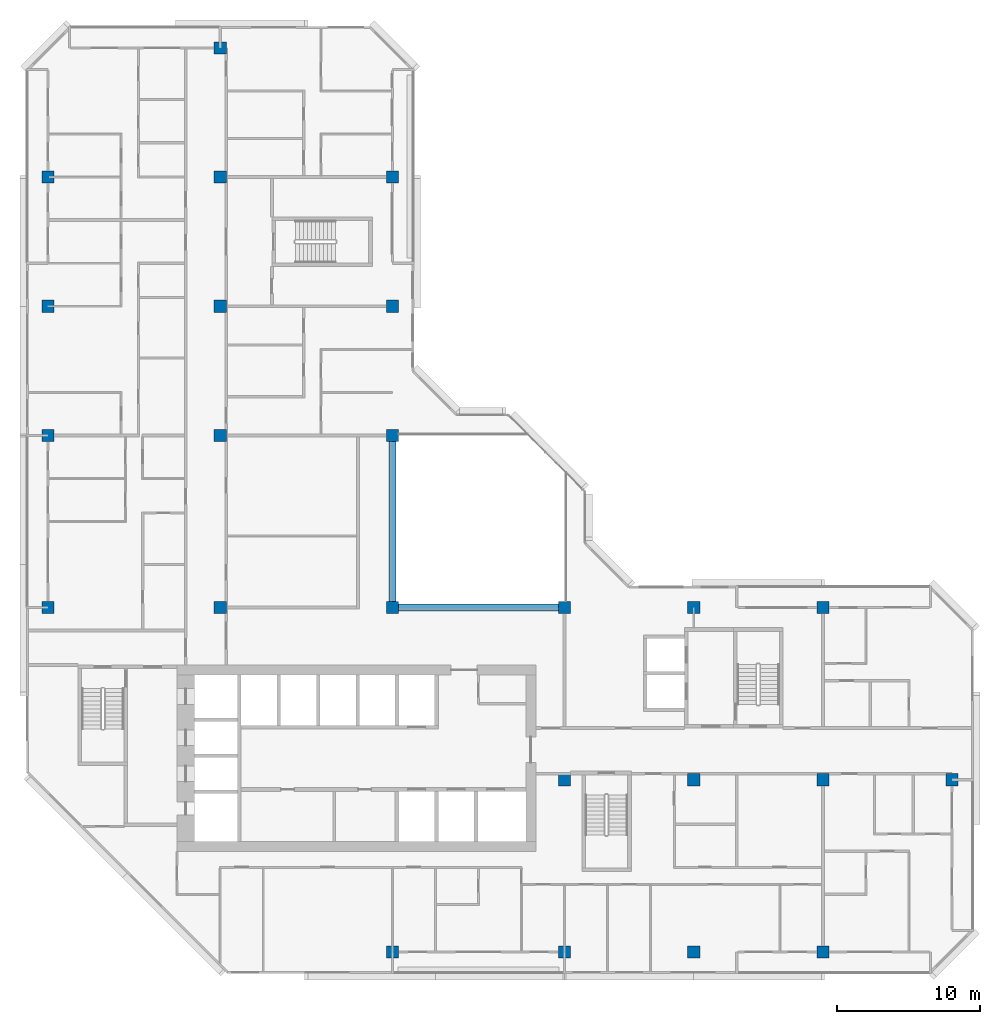
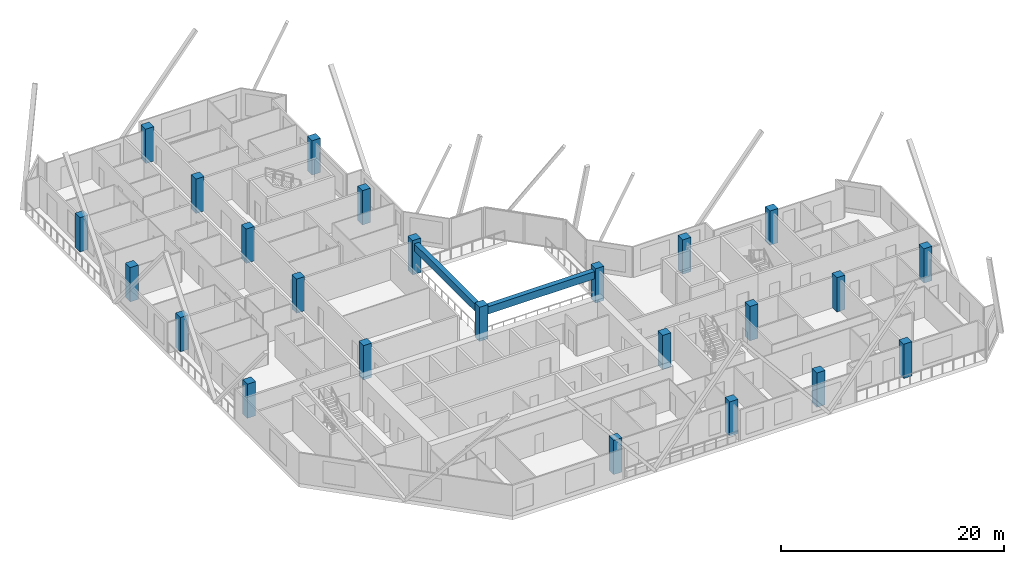
# One storey, part 1 of 14: 24 columns, 2 beams.
"""IFC4 building model written with IfcOpenShell, lengths in metres."""

from ifc_helpers import new_model, si_unit, direction, frame, origin, origin_2d, place, context, subcontext, project, spatial, rectangle, extrude, material, material_profile, profile_set, type_object, element, save


model = new_model("IFC4")

# Units and contexts
model_context = context("Model", 3, precision=1e-05, world=origin(), true_north=direction((0.0, 1.0)))
body_context = subcontext(model_context, "Body", "Model", "MODEL_VIEW")
ifc_project = project(units=[si_unit("LENGTHUNIT", "METRE"), si_unit("AREAUNIT", "SQUARE_METRE"), si_unit("VOLUMEUNIT", "CUBIC_METRE"), si_unit("PLANEANGLEUNIT", "RADIAN"), si_unit("MASSUNIT", "GRAM", prefix="KILO")], contexts=[model_context])

# Site, building, storey
site_placement = place(None, origin())
site = spatial("IfcSite", under=ifc_project, at=site_placement, CompositionType="ELEMENT")
building_placement = place(site_placement, origin())
building = spatial("IfcBuilding", under=site, at=building_placement, Name="Chenar Terraces", CompositionType="ELEMENT")
storey_placement = place(building_placement, frame((0.0, 0.0, 234.14990234375)))
storey = spatial("IfcBuildingStorey", under=building, at=storey_placement, Name="L55", CompositionType="ELEMENT", Elevation=234.14990234375)

# Columns
ifc_material_1 = material(Name="Concrete C60/75", Category="concrete")
ifc_material_profile_1 = material_profile(ifc_material_1, rectangle(XDim=0.85009765625, YDim=0.85009765625, at=origin_2d()), Name="C 850 x 850")
ifc_profile_set_1 = profile_set([ifc_material_profile_1], Name="Concrete C60/75")
column_type = type_object("IfcColumnType", Name="Column C 850 x 850 Concrete C60/75", PredefinedType="COLUMN", material=ifc_profile_set_1)
column_1_placement = place(storey_placement, frame((0.0, 24.0, 0.0), z_axis=(0.0, 0.0, 1.0), x_axis=(1.0, 0.0, 0.0)))
element("IfcColumn", 1, at=column_1_placement, inside=storey, type_object=column_type, Name="Column 5/G L55", PredefinedType="COLUMN", context=body_context, shape_type="SweptSolid", body=[
    extrude(rectangle(XDim=0.85009765625, YDim=0.85009765625, at=origin_2d()), origin(), (0.0, 0.0, 1.0), 3.75),
])
column_2_placement = place(storey_placement, frame((0.0, 36.0, 0.0), z_axis=(0.0, 0.0, 1.0), x_axis=(1.0, 0.0, 0.0)))
element("IfcColumn", 2, at=column_2_placement, inside=storey, type_object=column_type, Name="Column 5/H L55", PredefinedType="COLUMN", context=body_context, shape_type="SweptSolid", body=[
    extrude(rectangle(XDim=0.85009765625, YDim=0.85009765625, at=origin_2d()), origin(), (0.0, 0.0, 1.0), 3.75),
])
column_3_placement = place(storey_placement, frame((0.0, 45.0, 0.0), z_axis=(0.0, 0.0, 1.0), x_axis=(1.0, 0.0, 0.0)))
element("IfcColumn", 3, at=column_3_placement, inside=storey, type_object=column_type, Name="Column 5/J L55", PredefinedType="COLUMN", context=body_context, shape_type="SweptSolid", body=[
    extrude(rectangle(XDim=0.85009765625, YDim=0.85009765625, at=origin_2d()), origin(), (0.0, 0.0, 1.0), 3.75),
])
for number, where, z_axis, x_axis, name in (
    (4, (0.0, 54.0, 0.0), (0.0, 0.0, 1.0), (1.0, 0.0, 0.0), "Column 5/K L55"),
    (5, (12.0, 24.0, 0.0), (0.0, 0.0, 1.0), (1.0, 0.0, 0.0), "Column 6/G L55"),
    (6, (12.0, 36.0, 0.0), (0.0, 0.0, 1.0), (1.0, 0.0, 0.0), "Column 6/H L55"),
    (7, (12.0, 45.0, 0.0), (0.0, 0.0, 1.0), (1.0, 0.0, 0.0), "Column 6/J L55"),
    (8, (12.0, 54.0, 0.0), (0.0, 0.0, 1.0), (1.0, 0.0, 0.0), "Column 6/K L55"),
    (9, (12.0, 63.0, 0.0), (0.0, 0.0, 1.0), (1.0, 0.0, 0.0), "Column 6/L L55"),
    (10, (24.0, 0.0, 0.0), (0.0, 0.0, 1.0), (1.0, 0.0, 0.0), "Column 7/E L55"),
    (11, (24.0, 24.0, 0.0), (0.0, 0.0, 1.0), (1.0, 0.0, 0.0), "Column 7/G L55"),
    (12, (24.0, 36.0, 0.0), (0.0, 0.0, 1.0), (1.0, 0.0, 0.0), "Column 7/H L55"),
    (13, (24.0, 45.0, 0.0), (0.0, 0.0, 1.0), (1.0, 0.0, 0.0), "Column 7/J L55"),
    (14, (24.0, 54.0, 0.0), (0.0, 0.0, 1.0), (1.0, 0.0, 0.0), "Column 7/K L55"),
    (15, (36.0, 0.0, 0.0), (0.0, 0.0, 1.0), (1.0, 0.0, 0.0), "Column 8/E L55"),
    (16, (36.0, 12.0, 0.0), (0.0, 0.0, 1.0), (1.0, 0.0, 0.0), "Column 8/F L55"),
    (17, (36.0, 24.0, 0.0), (0.0, 0.0, 1.0), (1.0, 0.0, 0.0), "Column 8/G L55"),
    (18, (45.0, 0.0, 0.0), (0.0, 0.0, 1.0), (1.0, 0.0, 0.0), "Column 9/E L55"),
    (19, (45.0, 12.0, 0.0), (0.0, 0.0, 1.0), (1.0, 0.0, 0.0), "Column 9/F L55"),
    (20, (45.0, 24.0, 0.0), (0.0, 0.0, 1.0), (1.0, 0.0, 0.0), "Column 9/G L55"),
    (21, (54.0, 0.0, 0.0), (0.0, 0.0, 1.0), (1.0, 0.0, 0.0), "Column 10/E L55"),
    (22, (54.0, 12.0, 0.0), (0.0, 0.0, 1.0), (1.0, 0.0, 0.0), "Column 10/F L55"),
    (23, (54.0, 24.0, 0.0), (0.0, 0.0, 1.0), (1.0, 0.0, 0.0), "Column 10/G L55"),
    (24, (63.0, 12.0, 0.0), (0.0, 0.0, 1.0), (1.0, 0.0, 0.0), "Column 11/F L55"),
):
    element("IfcColumn", number, at=place(storey_placement, frame(where, z_axis=z_axis, x_axis=x_axis)), inside=storey, type_object=column_type, Name=name, PredefinedType="COLUMN", context=body_context, shape_type="SweptSolid", body=[
        extrude(rectangle(XDim=0.85009765625, YDim=0.85009765625, at=origin_2d()), origin(), (0.0, 0.0, 1.0), 3.75),
    ])

# Beams
ifc_material_2 = material(Name="Concrete C40/50", Category="concrete")
ifc_material_profile_2 = material_profile(ifc_material_2, rectangle(XDim=0.5, YDim=0.800048828125, at=origin_2d()), Name="RC 500 x 800")
ifc_profile_set_2 = profile_set([ifc_material_profile_2], Name="Concrete C40/50")
beam_type = type_object("IfcBeamType", Name="Atrium edge beam 500 x 800 Concrete C40/50", PredefinedType="BEAM", material=ifc_profile_set_2)
for number, where, z_axis, x_axis, name in (
    (25, (24.425048828125, 24.0, 2.9501953125), (1.0, 0.0, 0.0), (0.0, 1.0, 0.0), "Atrium edge beam L56 1"),
    (26, (24.0, 35.574951171875, 2.9501953125), (0.0, -1.0, 0.0), (1.0, 0.0, 0.0), "Atrium edge beam L56 4"),
):
    element("IfcBeam", number, at=place(storey_placement, frame(where, z_axis=z_axis, x_axis=x_axis)), inside=storey, type_object=beam_type, Name=name, PredefinedType="BEAM", context=body_context, shape_type="SweptSolid", body=[
        extrude(rectangle(XDim=0.5, YDim=0.800048828125, at=origin_2d()), origin(), (0.0, 0.0, 1.0), 11.14990234375),
    ])

save(model, "model.ifc")
